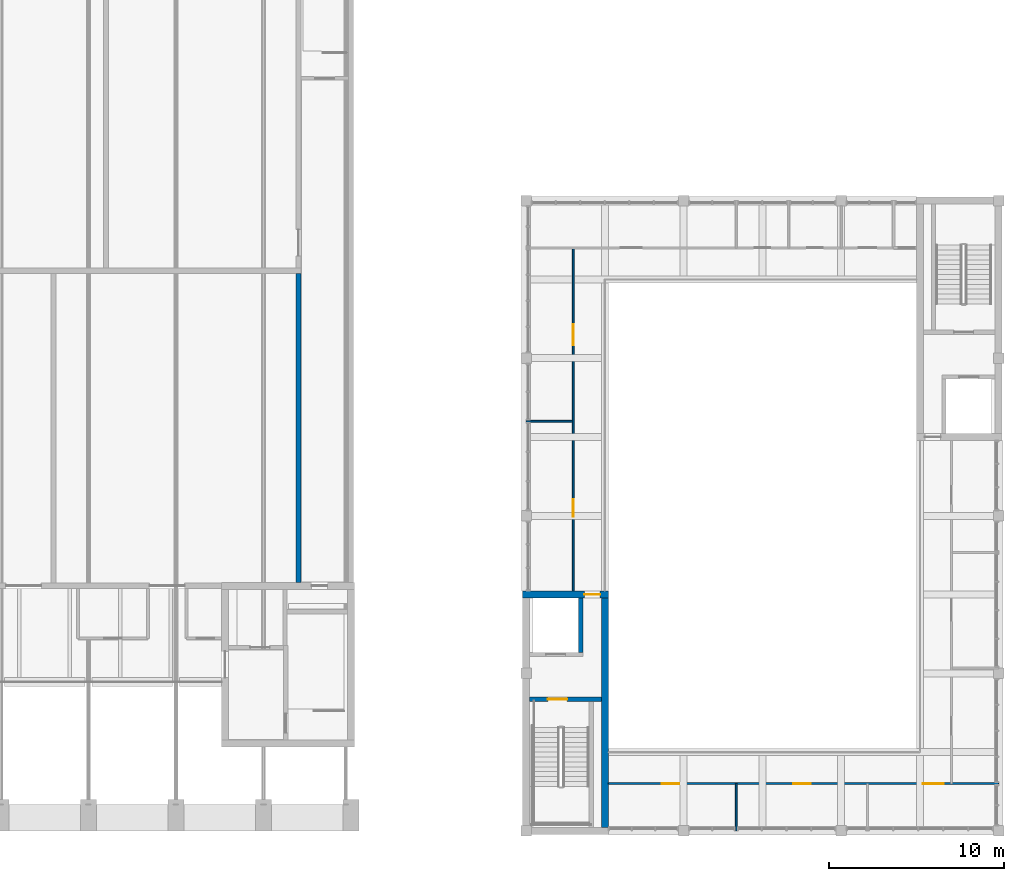
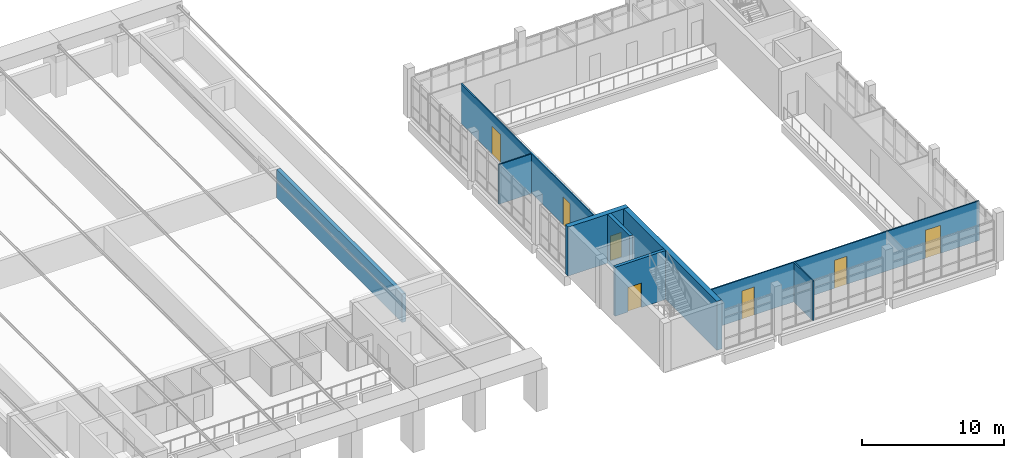
# One storey, part 48 of 92: 9 walls, 7 doors, 7 openings.
"""IFC4 building model written with IfcOpenShell, lengths in metres."""

from ifc_helpers import new_model, si_unit, direction, frame, frame_2d, origin, place, context, subcontext, project, spatial, rectangle, extrude, material, layer, layer_set, type_object, element, fill, save


model = new_model("IFC4")

# Units and contexts
model_context = context("Model", 3, precision=1e-05, world=origin(), true_north=direction((0.0, 1.0)))
body_context = subcontext(model_context, "Body", "Model", "MODEL_VIEW")
ifc_project = project(units=[si_unit("LENGTHUNIT", "METRE"), si_unit("AREAUNIT", "SQUARE_METRE"), si_unit("VOLUMEUNIT", "CUBIC_METRE"), si_unit("PLANEANGLEUNIT", "RADIAN"), si_unit("MASSUNIT", "GRAM", prefix="KILO")], contexts=[model_context])

# Site, building, storey
site_placement = place(None, origin())
site = spatial("IfcSite", under=ifc_project, at=site_placement, CompositionType="ELEMENT")
building_placement = place(site_placement, origin())
building = spatial("IfcBuilding", under=site, at=building_placement, Name="Merrow Basin Faculty of Sciences", CompositionType="ELEMENT")
storey_placement = place(building_placement, frame((0.0, 0.0, 4.5)))
storey = spatial("IfcBuildingStorey", under=building, at=storey_placement, Name="L01", CompositionType="ELEMENT", Elevation=4.5)

# Wall
ifc_material_1 = material(Name="Concrete C40/50", Category="concrete")
ifc_layer_1 = layer(ifc_material_1, 0.300048828125)
ifc_layer_set_1 = layer_set([ifc_layer_1], Name="Hall wall 300 Concrete C40/50")
wall_type_1 = type_object("IfcWallType", Name="Hall wall 300 Concrete C40/50", PredefinedType="SHEAR", material=ifc_layer_set_1)
wall_1_placement = place(storey_placement, frame((32.0, 14.199951171875, 0.0), z_axis=(0.0, 0.0, 1.0), x_axis=(0.0, 1.0, 0.0)))
element("IfcWall", 1, at=wall_1_placement, inside=storey, type_object=wall_type_1, Name="SW7 L01 022", PredefinedType="SHEAR", context=body_context, shape_type="SweptSolid", body=[
    extrude(rectangle(XDim=17.650146484375, YDim=0.300048828125, at=frame_2d((8.8251953125, 0.0))), origin(), (0.0, 0.0, 1.0), 2.449951171875),
])

# Wall, openings, doors
ifc_material_2 = material(Name="Gypsum board")
ifc_layer_2 = layer(ifc_material_2, 0.10009765625)
ifc_layer_set_2 = layer_set([ifc_layer_2], Name="Partition 100 gypsum board on steel studs")
wall_type_2 = type_object("IfcWallType", Name="Partition 100 gypsum board on steel studs", PredefinedType="PARTITIONING", material=ifc_layer_set_2)
wall_2_placement = place(storey_placement, frame((47.699951171875, 13.699951171875, 0.0), z_axis=(0.0, 0.0, 1.0), x_axis=(0.0, 1.0, 0.0)))
wall_2 = element("IfcWall", 2, at=wall_2_placement, inside=storey, type_object=wall_type_2, Name="IW100 L01 007", PredefinedType="PARTITIONING", context=body_context, shape_type="SweptSolid", body=[
    extrude(rectangle(XDim=19.60009765625, YDim=0.10009765625, at=frame_2d((9.800048828125, 0.0))), origin(), (0.0, 0.0, 1.0), 3.39990234375),
])
opening_1_placement = place(wall_2_placement, frame((4.25, 0.0, 0.0)))
opening_1 = element("IfcOpeningElement", 3, at=opening_1_placement, cuts=wall_2, Name="Opening D01A016", PredefinedType="OPENING", context=body_context, shape_type="SweptSolid", body=[
    extrude(rectangle(XDim=1.0, YDim=2.39990234375, at=frame_2d((0.5, 1.199951171875))), frame((0.0, 0.06005859375, 0.0), z_axis=(0.0, -1.0, 0.0), x_axis=(1.0, 0.0, 0.0)), (0.0, 0.0, 1.0), 0.1201171875),
])
opening_2_placement = place(wall_2_placement, frame((14.050048828125, 0.0, 0.0)))
opening_2 = element("IfcOpeningElement", 4, at=opening_2_placement, cuts=wall_2, Name="Opening D01A017", PredefinedType="OPENING", context=body_context, shape_type="SweptSolid", body=[
    extrude(rectangle(XDim=1.199951171875, YDim=2.39990234375, at=frame_2d((0.60009765625, 1.199951171875))), frame((0.0, 0.06005859375, 0.0), z_axis=(0.0, -1.0, 0.0), x_axis=(1.0, 0.0, 0.0)), (0.0, 0.0, 1.0), 0.1201171875),
])
ifc_material_3 = material(Name="Glazed aluminium door", Category="aluminium")
door_type_1 = type_object("IfcDoorType", Name="Glazed single door 1000 x 2400", OperationType="NOTDEFINED", PredefinedType="DOOR", material=ifc_material_3)
door_1_placement = place(opening_1_placement, origin())
door_1 = element("IfcDoor", 5, at=door_1_placement, inside=storey, type_object=door_type_1, Name="Door D01A016", OperationType="SINGLE_SWING_LEFT", OverallHeight=2.39990234375, OverallWidth=1.0, PredefinedType="DOOR", context=body_context, shape_type="SweptSolid", body=[
    extrude(rectangle(XDim=1.0, YDim=2.39990234375, at=frame_2d((0.5, 1.199951171875))), frame((0.0, 0.02490234375, 0.0), z_axis=(0.0, -1.0, 0.0), x_axis=(1.0, 0.0, 0.0)), (0.0, 0.0, 1.0), 0.050048828125),
])
fill(opening_1, door_1)
ifc_material_4 = material(Name="Glazed aluminium door", Category="aluminium")
door_type_2 = type_object("IfcDoorType", Name="Glazed single door 1200 x 2400", OperationType="NOTDEFINED", PredefinedType="DOOR", material=ifc_material_4)
door_2_placement = place(opening_2_placement, origin())
door_2 = element("IfcDoor", 6, at=door_2_placement, inside=storey, type_object=door_type_2, Name="Door D01A017", OperationType="SINGLE_SWING_LEFT", OverallHeight=2.39990234375, OverallWidth=1.199951171875, PredefinedType="DOOR", context=body_context, shape_type="SweptSolid", body=[
    extrude(rectangle(XDim=1.199951171875, YDim=2.39990234375, at=frame_2d((0.60009765625, 1.199951171875))), frame((0.0, 0.02490234375, 0.0), z_axis=(0.0, -1.0, 0.0), x_axis=(1.0, 0.0, 0.0)), (0.0, 0.0, 1.0), 0.050048828125),
])
fill(opening_2, door_2)

# Wall
wall_3_placement = place(storey_placement, frame((57.0, 0.0, 0.0), z_axis=(0.0, 0.0, 1.0), x_axis=(0.0, 1.0, 0.0)))
element("IfcWall", 7, at=wall_3_placement, inside=storey, type_object=wall_type_2, Name="IW100 L01 008", PredefinedType="PARTITIONING", context=body_context, shape_type="SweptSolid", body=[
    extrude(rectangle(XDim=2.699951171875, YDim=0.10009765625, at=frame_2d((1.35009765625, 0.0))), origin(), (0.0, 0.0, 1.0), 3.39990234375),
])

# Wall, openings, doors
wall_4_placement = place(storey_placement, frame((49.699951171875, 2.699951171875, 0.0), z_axis=(0.0, 0.0, 1.0), x_axis=(1.0, 0.0, 0.0)))
wall_4 = element("IfcWall", 8, at=wall_4_placement, inside=storey, type_object=wall_type_2, Name="IW100 L01 011", PredefinedType="PARTITIONING", context=body_context, shape_type="SweptSolid", body=[
    extrude(rectangle(XDim=22.300048828125, YDim=0.10009765625, at=frame_2d((11.14990234375, 0.0))), origin(), (0.0, 0.0, 1.0), 3.39990234375),
])
opening_3_placement = place(wall_4_placement, frame((3.050048828125, 0.0, 0.0)))
opening_3 = element("IfcOpeningElement", 9, at=opening_3_placement, cuts=wall_4, Name="Opening D01A005", PredefinedType="OPENING", context=body_context, shape_type="SweptSolid", body=[
    extrude(rectangle(XDim=1.0, YDim=2.39990234375, at=frame_2d((0.5, 1.199951171875))), frame((0.0, 0.06005859375, 0.0), z_axis=(0.0, -1.0, 0.0), x_axis=(1.0, 0.0, 0.0)), (0.0, 0.0, 1.0), 0.1201171875),
])
opening_4_placement = place(wall_4_placement, frame((10.550048828125, 0.0, 0.0)))
opening_4 = element("IfcOpeningElement", 10, at=opening_4_placement, cuts=wall_4, Name="Opening D01A006", PredefinedType="OPENING", context=body_context, shape_type="SweptSolid", body=[
    extrude(rectangle(XDim=1.0, YDim=2.39990234375, at=frame_2d((0.5, 1.199951171875))), frame((0.0, 0.06005859375, 0.0), z_axis=(0.0, -1.0, 0.0), x_axis=(1.0, 0.0, 0.0)), (0.0, 0.0, 1.0), 0.1201171875),
])
opening_5_placement = place(wall_4_placement, frame((17.949951171875, 0.0, 0.0)))
opening_5 = element("IfcOpeningElement", 11, at=opening_5_placement, cuts=wall_4, Name="Opening D01A007", PredefinedType="OPENING", context=body_context, shape_type="SweptSolid", body=[
    extrude(rectangle(XDim=1.199951171875, YDim=2.39990234375, at=frame_2d((0.60009765625, 1.199951171875))), frame((0.0, 0.06005859375, 0.0), z_axis=(0.0, -1.0, 0.0), x_axis=(1.0, 0.0, 0.0)), (0.0, 0.0, 1.0), 0.1201171875),
])
door_3_placement = place(opening_3_placement, origin())
door_3 = element("IfcDoor", 12, at=door_3_placement, inside=storey, type_object=door_type_1, Name="Door D01A005", OperationType="SINGLE_SWING_LEFT", OverallHeight=2.39990234375, OverallWidth=1.0, PredefinedType="DOOR", context=body_context, shape_type="SweptSolid", body=[
    extrude(rectangle(XDim=1.0, YDim=2.39990234375, at=frame_2d((0.5, 1.199951171875))), frame((0.0, 0.02490234375, 0.0), z_axis=(0.0, -1.0, 0.0), x_axis=(1.0, 0.0, 0.0)), (0.0, 0.0, 1.0), 0.050048828125),
])
fill(opening_3, door_3)
door_4_placement = place(opening_4_placement, origin())
door_4 = element("IfcDoor", 13, at=door_4_placement, inside=storey, type_object=door_type_1, Name="Door D01A006", OperationType="SINGLE_SWING_LEFT", OverallHeight=2.39990234375, OverallWidth=1.0, PredefinedType="DOOR", context=body_context, shape_type="SweptSolid", body=[
    extrude(rectangle(XDim=1.0, YDim=2.39990234375, at=frame_2d((0.5, 1.199951171875))), frame((0.0, 0.02490234375, 0.0), z_axis=(0.0, -1.0, 0.0), x_axis=(1.0, 0.0, 0.0)), (0.0, 0.0, 1.0), 0.050048828125),
])
fill(opening_4, door_4)
door_5_placement = place(opening_5_placement, origin())
door_5 = element("IfcDoor", 14, at=door_5_placement, inside=storey, type_object=door_type_2, Name="Door D01A007", OperationType="SINGLE_SWING_LEFT", OverallHeight=2.39990234375, OverallWidth=1.199951171875, PredefinedType="DOOR", context=body_context, shape_type="SweptSolid", body=[
    extrude(rectangle(XDim=1.199951171875, YDim=2.39990234375, at=frame_2d((0.60009765625, 1.199951171875))), frame((0.0, 0.02490234375, 0.0), z_axis=(0.0, -1.0, 0.0), x_axis=(1.0, 0.0, 0.0)), (0.0, 0.0, 1.0), 0.050048828125),
])
fill(opening_5, door_5)

# Wall
wall_5_placement = place(storey_placement, frame((45.0, 23.39990234375, 0.0), z_axis=(0.0, 0.0, 1.0), x_axis=(1.0, 0.0, 0.0)))
element("IfcWall", 15, at=wall_5_placement, inside=storey, type_object=wall_type_2, Name="IW100 L01 014", PredefinedType="PARTITIONING", context=body_context, shape_type="SweptSolid", body=[
    extrude(rectangle(XDim=2.64990234375, YDim=0.10009765625, at=frame_2d((1.324951171875, 0.0))), origin(), (0.0, 0.0, 1.0), 3.39990234375),
])

# Wall, opening, door
ifc_material_5 = material(Name="Concrete C40/50", Category="concrete")
ifc_layer_3 = layer(ifc_material_5, 0.25)
ifc_layer_set_3 = layer_set([ifc_layer_3], Name="Shear wall 250 Concrete C40/50")
wall_type_3 = type_object("IfcWallType", Name="Shear wall 250 Concrete C40/50", PredefinedType="SHEAR", material=ifc_layer_set_3)
wall_6_placement = place(storey_placement, frame((45.199951171875, 7.52490234375, 0.0), z_axis=(0.0, 0.0, 1.0), x_axis=(1.0, 0.0, 0.0)))
wall_6 = element("IfcWall", 16, at=wall_6_placement, inside=storey, type_object=wall_type_3, Name="SW2 L01 006", PredefinedType="SHEAR", context=body_context, shape_type="SweptSolid", body=[
    extrude(rectangle(XDim=4.10009765625, YDim=0.25, at=frame_2d((2.050048828125, 0.0))), origin(), (0.0, 0.0, 1.0), 4.199951171875),
])
opening_6_placement = place(wall_6_placement, frame((1.050048828125, 0.0, 0.0)))
opening_6 = element("IfcOpeningElement", 17, at=opening_6_placement, cuts=wall_6, Name="Opening D01A001", PredefinedType="OPENING", context=body_context, shape_type="SweptSolid", body=[
    extrude(rectangle(XDim=1.10009765625, YDim=2.10009765625, at=frame_2d((0.550048828125, 1.050048828125))), frame((0.0, 0.135009765625, 0.0), z_axis=(0.0, -1.0, 0.0), x_axis=(1.0, 0.0, 0.0)), (0.0, 0.0, 1.0), 0.27001953125),
])
ifc_material_6 = material(Name="Fire-rated steel door", Category="steel")
door_type_3 = type_object("IfcDoorType", Name="Fire door FD90 1100 x 2100", OperationType="NOTDEFINED", PredefinedType="DOOR", material=ifc_material_6)
door_6_placement = place(opening_6_placement, origin())
door_6 = element("IfcDoor", 18, at=door_6_placement, inside=storey, type_object=door_type_3, Name="Door D01A001", OperationType="SINGLE_SWING_LEFT", OverallHeight=2.10009765625, OverallWidth=1.10009765625, PredefinedType="DOOR", context=body_context, shape_type="SweptSolid", body=[
    extrude(rectangle(XDim=1.10009765625, YDim=2.10009765625, at=frame_2d((0.550048828125, 1.050048828125))), frame((0.0, 0.02490234375, 0.0), z_axis=(0.0, -1.0, 0.0), x_axis=(1.0, 0.0, 0.0)), (0.0, 0.0, 1.0), 0.050048828125),
])
fill(opening_6, door_6)

# Wall
wall_7_placement = place(storey_placement, frame((48.125, 10.199951171875, 0.0), z_axis=(0.0, 0.0, 1.0), x_axis=(0.0, 1.0, 0.0)))
element("IfcWall", 19, at=wall_7_placement, inside=storey, type_object=wall_type_3, Name="SW2 L01 009", PredefinedType="SHEAR", context=body_context, shape_type="SweptSolid", body=[
    extrude(rectangle(XDim=3.10009765625, YDim=0.25, at=frame_2d((1.550048828125, 0.0))), origin(), (0.0, 0.0, 1.0), 4.199951171875),
])

# Wall, opening, door
ifc_material_7 = material(Name="Concrete C40/50", Category="concrete")
ifc_layer_4 = layer(ifc_material_7, 0.39990234375)
ifc_layer_set_4 = layer_set([ifc_layer_4], Name="Shear wall 400 Concrete C40/50")
wall_type_4 = type_object("IfcWallType", Name="Shear wall 400 Concrete C40/50", PredefinedType="SHEAR", material=ifc_layer_set_4)
wall_8_placement = place(storey_placement, frame((44.800048828125, 13.5, 0.0), z_axis=(0.0, 0.0, 1.0), x_axis=(1.0, 0.0, 0.0)))
wall_8 = element("IfcWall", 20, at=wall_8_placement, inside=storey, type_object=wall_type_4, Name="SW1 L01 002", PredefinedType="SHEAR", context=body_context, shape_type="SweptSolid", body=[
    extrude(rectangle(XDim=4.89990234375, YDim=0.39990234375, at=frame_2d((2.449951171875, 0.0))), origin(), (0.0, 0.0, 1.0), 4.199951171875),
])
opening_7_placement = place(wall_8_placement, frame((3.52490234375, 0.0, 0.0)))
opening_7 = element("IfcOpeningElement", 21, at=opening_7_placement, cuts=wall_8, Name="Opening D01A002", PredefinedType="OPENING", context=body_context, shape_type="SweptSolid", body=[
    extrude(rectangle(XDim=0.89990234375, YDim=2.10009765625, at=frame_2d((0.449951171875, 1.050048828125))), frame((0.0, 0.2099609375, 0.0), z_axis=(0.0, -1.0, 0.0), x_axis=(1.0, 0.0, 0.0)), (0.0, 0.0, 1.0), 0.419921875),
])
ifc_material_8 = material(Name="Fire-rated steel door", Category="steel")
door_type_4 = type_object("IfcDoorType", Name="Fire door FD60 900 x 2100", OperationType="NOTDEFINED", PredefinedType="DOOR", material=ifc_material_8)
door_7_placement = place(opening_7_placement, origin())
door_7 = element("IfcDoor", 22, at=door_7_placement, inside=storey, type_object=door_type_4, Name="Door D01A002", OperationType="SINGLE_SWING_RIGHT", OverallHeight=2.10009765625, OverallWidth=0.89990234375, PredefinedType="DOOR", context=body_context, shape_type="SweptSolid", body=[
    extrude(rectangle(XDim=0.89990234375, YDim=2.10009765625, at=frame_2d((0.449951171875, 1.050048828125))), frame((0.0, 0.02490234375, 0.0), z_axis=(0.0, -1.0, 0.0), x_axis=(1.0, 0.0, 0.0)), (0.0, 0.0, 1.0), 0.050048828125),
])
fill(opening_7, door_7)

# Wall
wall_9_placement = place(storey_placement, frame((49.5, 0.199951171875, 0.0), z_axis=(0.0, 0.0, 1.0), x_axis=(0.0, 1.0, 0.0)))
element("IfcWall", 23, at=wall_9_placement, inside=storey, type_object=wall_type_4, Name="SW1 L01 005", PredefinedType="SHEAR", context=body_context, shape_type="SweptSolid", body=[
    extrude(rectangle(XDim=13.10009765625, YDim=0.39990234375, at=frame_2d((6.550048828125, 0.0))), origin(), (0.0, 0.0, 1.0), 4.199951171875),
])

save(model, "model.ifc")
